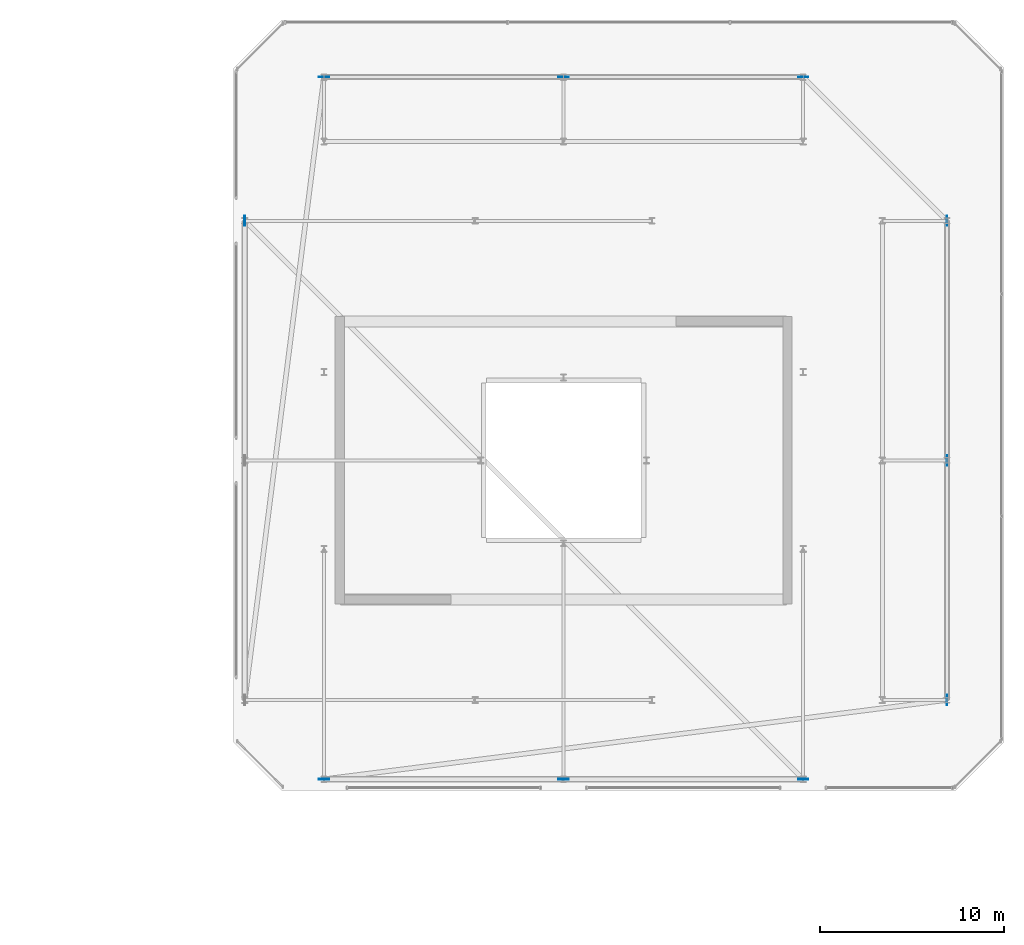
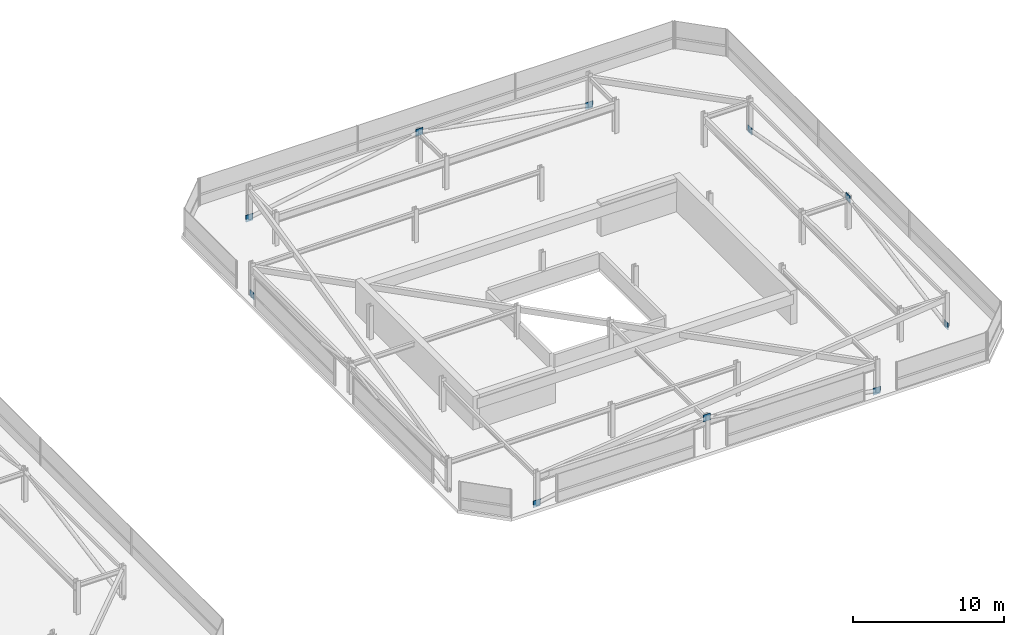
# One storey, part 41 of 42: 10 plates.
"""IFC4 building model written with IfcOpenShell, lengths in metres."""

import ifcopenshell
import ifcopenshell.guid

model = None  # the IFC model being written
_history = None  # IfcOwnerHistory: only IFC2X3 demands one
_inside = {}  # id of a spatial element -> (the spatial element, [elements in it])
_under = {}  # id of a project, library or spatial element -> (it, [spatial elements below it])
_declared = {}  # id of a project -> (the project, [libraries it declares])
_typed = {}  # id of a type object -> (the type object, [elements of that type])
_made_of = {}  # id of a material, layer set ... -> (it, [elements and type objects made of it])


def new_model(schema):
    """Start an empty IFC model of exactly this schema.

    Asked for "IFC4X3", IfcOpenShell would pick the latest addendum, in which some entities
    have other attributes; the version numbers below select the first issue.
    IFC2X3 requires an IfcOwnerHistory on every rooted entity: one is made here for all.
    """
    global model, _history
    if schema == "IFC4X3":
        model = ifcopenshell.file(schema_version=(4, 3, 0, 0))
    else:
        model = ifcopenshell.file(schema=schema)
    _inside.clear()
    _under.clear()
    _declared.clear()
    _typed.clear()
    _made_of.clear()
    _history = None
    if model.schema == "IFC2X3":
        org = make("IfcOrganization", Name="unknown")
        user = make(
            "IfcPersonAndOrganization",
            ThePerson=make("IfcPerson", FamilyName="unknown"),
            TheOrganization=org,
        )
        app = make(
            "IfcApplication",
            ApplicationDeveloper=org,
            Version="unknown",
            ApplicationFullName="unknown",
            ApplicationIdentifier="unknown",
        )
        _history = make(
            "IfcOwnerHistory",
            OwningUser=user,
            OwningApplication=app,
            ChangeAction="ADDED",
            CreationDate=0,
        )
    return model


def make(cls, **values):
    """One entity of the class cls with the attributes given. An attribute that is None is left unset."""
    return model.create_entity(
        cls, **{name: value for name, value in values.items() if value is not None}
    )


def rooted(cls, **values):
    """An entity with a GlobalId (a new one), such as an element, a storey or a relation."""
    return make(cls, GlobalId=ifcopenshell.guid.new(), OwnerHistory=_history, **values)


def si_unit(unit_type, name, prefix=None):
    """IfcSIUnit, for example si_unit("LENGTHUNIT", "METRE", prefix="MILLI")."""
    return make("IfcSIUnit", UnitType=unit_type, Prefix=prefix, Name=name)


def assignment(units):
    """IfcUnitAssignment: the units of a project."""
    return None if units is None else make("IfcUnitAssignment", Units=units)


def point(xyz):
    """IfcCartesianPoint."""
    return None if xyz is None else make("IfcCartesianPoint", Coordinates=xyz)


def direction(xyz):
    """IfcDirection."""
    return None if xyz is None else make("IfcDirection", DirectionRatios=xyz)


def frame(location, z_axis=None, x_axis=None):
    """IfcAxis2Placement3D, a coordinate frame: its origin and axes. An axis left out is left unset."""
    return make(
        "IfcAxis2Placement3D",
        Location=point(location),
        Axis=direction(z_axis),
        RefDirection=direction(x_axis),
    )


def frame_2d(location, x_axis=None):
    """IfcAxis2Placement2D, a coordinate frame in the plane: its origin and x axis."""
    return make(
        "IfcAxis2Placement2D", Location=point(location), RefDirection=direction(x_axis)
    )


def origin():
    """The frame at (0, 0, 0) with its axes left unset."""
    return frame((0.0, 0.0, 0.0))


def origin_2d():
    """The frame at (0, 0) in the plane with its x axis left unset."""
    return frame_2d((0.0, 0.0))


def place(relative_to, where):
    """IfcLocalPlacement: puts the frame where relative to a parent placement (None: the world)."""
    return make(
        "IfcLocalPlacement", PlacementRelTo=relative_to, RelativePlacement=where
    )


def context(
    kind, dimensions, precision=None, world=None, true_north=None, identifier=None
):
    """IfcGeometricRepresentationContext, for example the 3D "Model" context."""
    return make(
        "IfcGeometricRepresentationContext",
        ContextIdentifier=identifier,
        ContextType=kind,
        CoordinateSpaceDimension=dimensions,
        Precision=precision,
        WorldCoordinateSystem=world,
        TrueNorth=true_north,
    )


def subcontext(parent, identifier, kind, view, scale=None):
    """IfcGeometricRepresentationSubContext, for example "Body" below "Model"."""
    return make(
        "IfcGeometricRepresentationSubContext",
        ContextIdentifier=identifier,
        ContextType=kind,
        ParentContext=parent,
        TargetScale=scale,
        TargetView=view,
    )


def project(units=None, contexts=None):
    """IfcProject with its units and contexts."""
    return rooted(
        "IfcProject",
        Name="project",
        RepresentationContexts=contexts,
        UnitsInContext=assignment(units),
    )


def spatial(cls, under=None, at=None, **own):
    """A site, building, storey or space (cls), placed at a placement, below another one or the project."""
    s = rooted(cls, ObjectPlacement=at, **own)
    if under is not None:
        _under.setdefault(under.id(), (under, []))[1].append(s)
    return s


def profile(cls, at=None, kind="AREA", **sizes):
    """A parametric profile (cls). Its sizes go by their IFC names, for example OverallWidth=200.0."""
    return make(cls, ProfileType=kind, Position=at, **sizes)


def rectangle(**sizes):
    """IfcRectangleProfileDef."""
    return profile("IfcRectangleProfileDef", **sizes)


def extrude(swept, where, along, depth):
    """IfcExtrudedAreaSolid: the profile swept, set in the frame where, extruded along a direction by depth."""
    return make(
        "IfcExtrudedAreaSolid",
        SweptArea=swept,
        Position=where,
        ExtrudedDirection=direction(along),
        Depth=depth,
    )


def shape(context_of_items, identifier, shape_type, items):
    """IfcShapeRepresentation: the items that make up one representation, for example the "Body"."""
    return make(
        "IfcShapeRepresentation",
        ContextOfItems=context_of_items,
        RepresentationIdentifier=identifier,
        RepresentationType=shape_type,
        Items=items,
    )


def material(Name=None, Category=None):
    """IfcMaterial."""
    return make("IfcMaterial", Name=Name, Category=Category)


def layer(
    of_material, thickness, ventilated=None, Name=None, Category=None, Priority=None
):
    """IfcMaterialLayer: one layer of a wall or slab, of a material (None: an air gap)."""
    return make(
        "IfcMaterialLayer",
        Material=of_material,
        LayerThickness=thickness,
        IsVentilated=ventilated,
        Name=Name,
        Category=Category,
        Priority=Priority,
    )


def layer_set(layers, Name=None):
    """IfcMaterialLayerSet."""
    return make("IfcMaterialLayerSet", MaterialLayers=layers, LayerSetName=Name)


def made_of(thing, what):
    """Note that an element or type object is made of a material, layer set ...; save() writes the relation."""
    if what is not None:
        _made_of.setdefault(what.id(), (what, []))[1].append(thing)
    return thing


def type_object(cls, material=None, **own):
    """A type object (cls), such as IfcWallType, which elements share."""
    return made_of(rooted(cls, **own), material)


def element(
    cls,
    number,
    at=None,
    inside=None,
    cuts=None,
    type_object=None,
    material=None,
    context=None,
    identifier="Body",
    shape_type=None,
    held_by="IfcProductDefinitionShape",
    body=None,
    shapes=None,
    **own,
):
    """One element of the class cls, such as IfcWall. Its Tag is "e" and its number.

    at: its placement. inside: the storey or other place that contains it. cuts: it is an
    opening in that element (IfcRelVoidsElement). A single representation is given by context,
    identifier, shape_type and body (its items); several are given by shapes. held_by: the class
    of the entity that holds the representations. save() writes the other relations.
    """
    e = rooted(cls, Tag="e%d" % number, ObjectPlacement=at, **own)
    if body is not None:
        shapes = [shape(context, identifier, shape_type, body)]
    if shapes is not None:
        e.Representation = make(held_by, Representations=shapes)
    if inside is not None:
        _inside.setdefault(inside.id(), (inside, []))[1].append(e)
    if cuts is not None:
        rooted(
            "IfcRelVoidsElement", RelatingBuildingElement=cuts, RelatedOpeningElement=e
        )
    if type_object is not None:
        _typed.setdefault(type_object.id(), (type_object, []))[1].append(e)
    return made_of(e, material)


def aggregate(whole, parts):
    """IfcRelAggregates: a whole, such as a stair, and the parts it consists of."""
    return rooted("IfcRelAggregates", RelatingObject=whole, RelatedObjects=parts)


def save(model, path):
    """Write the relations noted so far, then the file.

    IfcRelAggregates (storeys below a building ...), IfcRelContainedInSpatialStructure (elements
    in a storey), IfcRelDefinesByType, IfcRelAssociatesMaterial and IfcRelDeclares: one each for
    every whole, place, type object, material and project.
    """
    for whole, parts in _under.values():
        aggregate(whole, parts)
    for where, things in _inside.values():
        rooted(
            "IfcRelContainedInSpatialStructure",
            RelatedElements=things,
            RelatingStructure=where,
        )
    for kind, things in _typed.values():
        rooted("IfcRelDefinesByType", RelatedObjects=things, RelatingType=kind)
    for what, things in _made_of.values():
        rooted("IfcRelAssociatesMaterial", RelatedObjects=things, RelatingMaterial=what)
    for by, libraries in _declared.values():
        rooted("IfcRelDeclares", RelatingContext=by, RelatedDefinitions=libraries)
    model.write(path)


model = new_model("IFC4")

# Units and contexts
model_context = context("Model", 3, precision=1e-05, world=origin(), true_north=direction((0.0, 1.0)))
body_context = subcontext(model_context, "Body", "Model", "MODEL_VIEW")
ifc_project = project(units=[si_unit("LENGTHUNIT", "METRE"), si_unit("AREAUNIT", "SQUARE_METRE"), si_unit("VOLUMEUNIT", "CUBIC_METRE"), si_unit("PLANEANGLEUNIT", "RADIAN"), si_unit("MASSUNIT", "GRAM", prefix="KILO")], contexts=[model_context])

# Site, building, storey
site_placement = place(None, origin())
site = spatial("IfcSite", under=ifc_project, at=site_placement, CompositionType="ELEMENT")
building_placement = place(site_placement, origin())
building = spatial("IfcBuilding", under=site, at=building_placement, Name="Thornwick Lancets Civic Towers", CompositionType="ELEMENT")
storey_placement = place(building_placement, frame((0.0, 0.0, 289.5)))
storey = spatial("IfcBuildingStorey", under=building, at=storey_placement, Name="C04", CompositionType="ELEMENT", Elevation=289.5)

# Plates
ifc_material = material(Name="Steel S460M", Category="steel")
ifc_layer = layer(ifc_material, 0.0400390625, Name="Steel S460M")
ifc_layer_set = layer_set([ifc_layer], Name="Steel S460M")
plate_type = type_object("IfcPlateType", Name="PLT_GUSSET_40", PredefinedType="USERDEFINED", material=ifc_layer_set)
for number, where, z_axis, x_axis, name in (
    (1, (109.300048828125, 14.0, -0.22509765625), (0.0, 0.0, 1.0), (0.0, 1.0, 0.0), "C04 Brace Connection Gusset Plate 0521"),
    (2, (109.300048828125, 27.0, 2.1650390625), (0.0, 0.0, 1.0), (0.0, 1.0, 0.0), "C04 Brace Connection Gusset Plate 0522"),
    (3, (109.300048828125, 40.0, -0.22509765625), (0.0, 0.0, 1.0), (0.0, -1.0, 0.0), "C04 Brace Connection Gusset Plate 0523"),
    (4, (101.5, 47.800048828125, -0.22509765625), (0.0, 0.0, 1.0), (-1.0, 0.0, 0.0), "C04 Brace Connection Gusset Plate 0524"),
    (5, (88.5, 47.800048828125, 2.1650390625), (0.0, 0.0, 1.0), (-1.0, 0.0, 0.0), "C04 Brace Connection Gusset Plate 0525"),
    (6, (75.5, 47.800048828125, -0.22509765625), (0.0, 0.0, 1.0), (1.0, 0.0, 0.0), "C04 Brace Connection Gusset Plate 0526"),
    (7, (71.199951171875, 40.0, -0.22509765625), (0.0, 0.0, 1.0), (0.0, -1.0, 0.0), "C04 Brace Connection Gusset Plate 0529"),
    (8, (101.5, 9.699951171875, -0.22509765625), (0.0, 0.0, 1.0), (-1.0, 0.0, 0.0), "C04 Brace Connection Gusset Plate 0530"),
    (9, (88.5, 9.699951171875, 2.1650390625), (0.0, 0.0, 1.0), (-1.0, 0.0, 0.0), "C04 Brace Connection Gusset Plate 0531"),
    (10, (75.5, 9.699951171875, -0.22509765625), (0.0, 0.0, 1.0), (1.0, 0.0, 0.0), "C04 Brace Connection Gusset Plate 0532"),
):
    element("IfcPlate", number, at=place(storey_placement, frame(where, z_axis=z_axis, x_axis=x_axis)), inside=storey, type_object=plate_type, Name=name, ObjectType="GUSSET_PLATE", PredefinedType="USERDEFINED", context=body_context, shape_type="SweptSolid", body=[
        extrude(rectangle(XDim=0.550048828125, YDim=0.0400390625, at=origin_2d()), origin(), (0.0, 0.0, 1.0), 0.550048828125),
    ])

save(model, "model.ifc")
